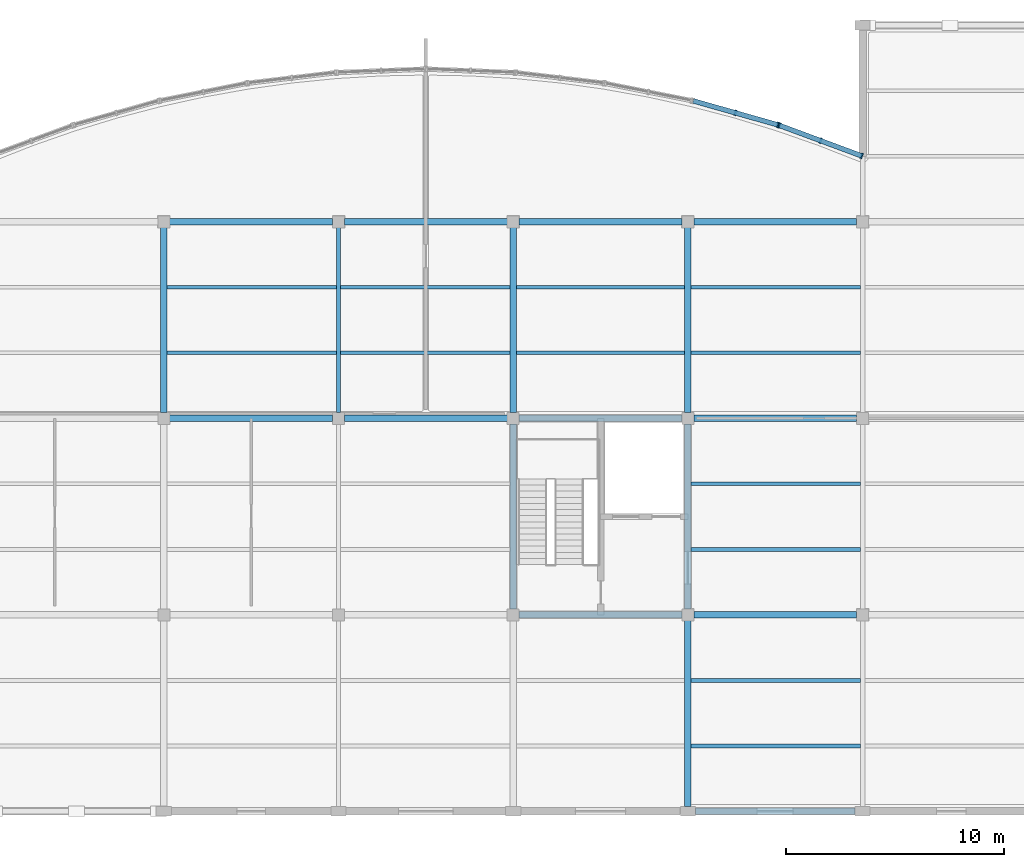
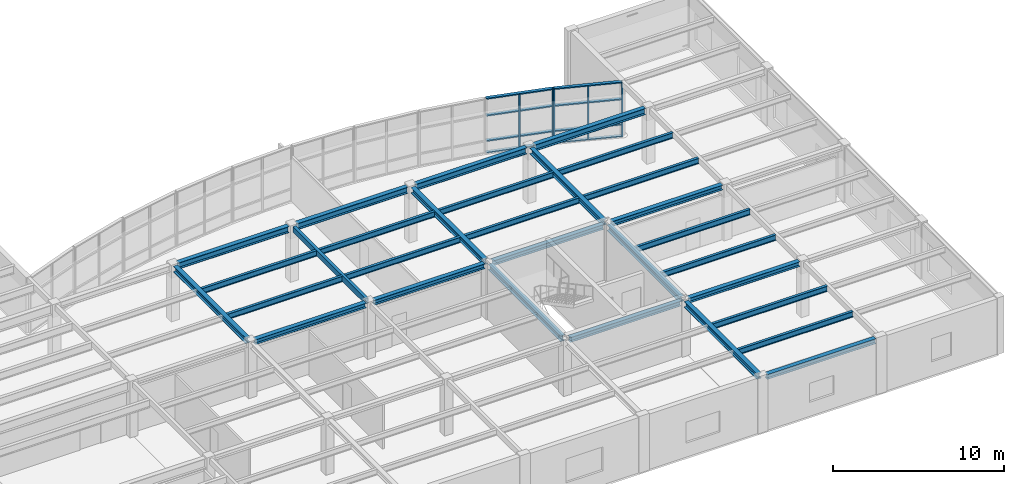
# One storey, part 3 of 12: 30 beams, 13 members, 2 elements without a shape of their own.
"""IFC4 building model written with IfcOpenShell, lengths in metres."""

from ifc_helpers import new_model, si_unit, direction, frame, origin, origin_2d, place, context, subcontext, project, spatial, rectangle, hollow_rectangle, i_section, extrude, material, layer, layer_set, material_profile, profile_set, type_object, element, aggregate, save


model = new_model("IFC4")

# Units and contexts
model_context = context("Model", 3, precision=1e-05, world=origin(), true_north=direction((0.0, 1.0)))
body_context = subcontext(model_context, "Body", "Model", "MODEL_VIEW")
ifc_project = project(units=[si_unit("LENGTHUNIT", "METRE"), si_unit("AREAUNIT", "SQUARE_METRE"), si_unit("VOLUMEUNIT", "CUBIC_METRE"), si_unit("PLANEANGLEUNIT", "RADIAN"), si_unit("MASSUNIT", "GRAM", prefix="KILO")], contexts=[model_context])

# Site, building, storey
site_placement = place(None, origin())
site = spatial("IfcSite", under=ifc_project, at=site_placement, CompositionType="ELEMENT")
building_placement = place(site_placement, origin())
building = spatial("IfcBuilding", under=site, at=building_placement, Name="Keelwater Ferry Terminal", CompositionType="ELEMENT")
storey_placement = place(building_placement, frame((0.0, 0.0, 19.5)))
storey = spatial("IfcBuildingStorey", under=building, at=storey_placement, Name="L04", CompositionType="ELEMENT", Elevation=19.5)

# Curtain wall, members
ifc_material_1 = material(Name="Thermally broken unitised aluminium and triple glass", Category="aluminium")
ifc_layer = layer(ifc_material_1, 0.179931640625)
ifc_layer_set = layer_set([ifc_layer], Name="Thermally broken unitised aluminium and triple glass")
curtain_wall_type = type_object("IfcCurtainWallType", Name="CW-23 Unitised Curtain Wall 4015x3850", PredefinedType="USERDEFINED", material=ifc_layer_set)
curtain_wall_1_placement = place(storey_placement, origin())
curtain_wall_1 = element("IfcCurtainWall", 1, at=curtain_wall_1_placement, inside=storey, type_object=curtain_wall_type, Name="Unitised Curtain Wall CW-L04-213", ObjectType="UNITISED CURTAIN WALL", PredefinedType="USERDEFINED")
ifc_material_2 = material(Name="Aluminium mullion", Category="aluminium")
ifc_material_profile_1 = material_profile(ifc_material_2, rectangle(XDim=0.080078125, YDim=0.25, at=origin_2d()), Name="CWM-04")
ifc_profile_set_1 = profile_set([ifc_material_profile_1], Name="Aluminium mullion")
member_type_1 = type_object("IfcMemberType", Name="CWM-04 Curtain Mullion 80x250", PredefinedType="MULLION", material=ifc_profile_set_1)
member_1_placement = place(storey_placement, frame((171.9580078125, 120.01611328125, 0.0), z_axis=(0.0, 0.0, 1.0), x_axis=(-0.937592418253, 0.347736189136, 0.0)))
member_1 = element("IfcMember", 2, at=member_1_placement, type_object=member_type_1, Name="CW-L04-213 Mullion 1", PredefinedType="MULLION", context=body_context, shape_type="SweptSolid", body=[
    extrude(rectangle(XDim=0.080078125, YDim=0.25, at=origin_2d()), origin(), (0.0, 0.0, 1.0), 3.85009765625),
])
member_2_placement = place(storey_placement, frame((170.075927734375, 120.714111328125, 0.0), z_axis=(0.0, 0.0, 1.0), x_axis=(-0.937592418253, 0.347736189136, 0.0)))
member_2 = element("IfcMember", 3, at=member_2_placement, type_object=member_type_1, Name="CW-L04-213 Mullion 2", PredefinedType="MULLION", context=body_context, shape_type="SweptSolid", body=[
    extrude(rectangle(XDim=0.080078125, YDim=0.25, at=origin_2d()), origin(), (0.0, 0.0, 1.0), 3.85009765625),
])
member_3_placement = place(storey_placement, frame((168.194091796875, 121.412109375, 0.0), z_axis=(0.0, 0.0, 1.0), x_axis=(-0.937592418253, 0.347736189136, 0.0)))
member_3 = element("IfcMember", 4, at=member_3_placement, type_object=member_type_1, Name="CW-L04-213 Mullion 3", PredefinedType="MULLION", context=body_context, shape_type="SweptSolid", body=[
    extrude(rectangle(XDim=0.080078125, YDim=0.25, at=origin_2d()), origin(), (0.0, 0.0, 1.0), 3.85009765625),
])

curtain_wall_2_placement = place(storey_placement, origin())
curtain_wall_2 = element("IfcCurtainWall", 5, at=curtain_wall_2_placement, inside=storey, type_object=curtain_wall_type, Name="Unitised Curtain Wall CW-L04-214", ObjectType="UNITISED CURTAIN WALL", PredefinedType="USERDEFINED")
member_4_placement = place(storey_placement, frame((168.10888671875, 121.43994140625, 0.0), z_axis=(0.0, 0.0, 1.0), x_axis=(-0.962029778706, 0.272944508797, 0.0)))
member_4 = element("IfcMember", 6, at=member_4_placement, type_object=member_type_1, Name="CW-L04-214 Mullion 1", PredefinedType="MULLION", context=body_context, shape_type="SweptSolid", body=[
    extrude(rectangle(XDim=0.080078125, YDim=0.25, at=origin_2d()), origin(), (0.0, 0.0, 1.0), 3.85009765625),
])
member_5_placement = place(storey_placement, frame((166.177490234375, 121.988037109375, 0.0), z_axis=(0.0, 0.0, 1.0), x_axis=(-0.962029778706, 0.272944508797, 0.0)))
member_5 = element("IfcMember", 7, at=member_5_placement, type_object=member_type_1, Name="CW-L04-214 Mullion 2", PredefinedType="MULLION", context=body_context, shape_type="SweptSolid", body=[
    extrude(rectangle(XDim=0.080078125, YDim=0.25, at=origin_2d()), origin(), (0.0, 0.0, 1.0), 3.85009765625),
])

# Member
ifc_material_3 = material(Name="Aluminium mullion", Category="aluminium")
ifc_material_profile_2 = material_profile(ifc_material_3, rectangle(XDim=0.219970703125, YDim=0.080078125, at=origin_2d()), Name="CWT-04")
ifc_profile_set_2 = profile_set([ifc_material_profile_2], Name="Aluminium mullion")
member_type_2 = type_object("IfcMemberType", Name="CWT-04 Curtain Transom 80x220", PredefinedType="USERDEFINED", material=ifc_profile_set_2)
member_6_placement = place(storey_placement, frame((171.9580078125, 120.01611328125, 0.0), z_axis=(-0.937590205769, 0.347742154543, 0.0), x_axis=(-0.347742154543, -0.937590205769, 0.0)))
member_6 = element("IfcMember", 8, at=member_6_placement, type_object=member_type_2, Name="CW-L04-213 Transom 1", ObjectType="TRANSOM", PredefinedType="USERDEFINED", context=body_context, shape_type="SweptSolid", body=[
    extrude(rectangle(XDim=0.219970703125, YDim=0.080078125, at=origin_2d()), origin(), (0.0, 0.0, 1.0), 4.014404296875),
])

member_7_placement = place(storey_placement, frame((171.9580078125, 120.01611328125, 0.85009765625), z_axis=(-0.937590205769, 0.347742154543, 0.0), x_axis=(-0.347742154543, -0.937590205769, 0.0)))
member_7 = element("IfcMember", 9, at=member_7_placement, type_object=member_type_2, Name="CW-L04-213 Transom 2", ObjectType="TRANSOM", PredefinedType="USERDEFINED", context=body_context, shape_type="SweptSolid", body=[
    extrude(rectangle(XDim=0.219970703125, YDim=0.080078125, at=origin_2d()), origin(), (0.0, 0.0, 1.0), 4.014404296875),
])

member_8_placement = place(storey_placement, frame((171.9580078125, 120.01611328125, 2.64990234375), z_axis=(-0.937590205769, 0.347742154543, 0.0), x_axis=(-0.347742154543, -0.937590205769, 0.0)))
member_8 = element("IfcMember", 10, at=member_8_placement, type_object=member_type_2, Name="CW-L04-213 Transom 3", ObjectType="TRANSOM", PredefinedType="USERDEFINED", context=body_context, shape_type="SweptSolid", body=[
    extrude(rectangle(XDim=0.219970703125, YDim=0.080078125, at=origin_2d()), origin(), (0.0, 0.0, 1.0), 4.014404296875),
])

member_9_placement = place(storey_placement, frame((171.9580078125, 120.01611328125, 3.85009765625), z_axis=(-0.937590205769, 0.347742154543, 0.0), x_axis=(-0.347742154543, -0.937590205769, 0.0)))
member_9 = element("IfcMember", 11, at=member_9_placement, type_object=member_type_2, Name="CW-L04-213 Transom 4", ObjectType="TRANSOM", PredefinedType="USERDEFINED", context=body_context, shape_type="SweptSolid", body=[
    extrude(rectangle(XDim=0.219970703125, YDim=0.080078125, at=origin_2d()), origin(), (0.0, 0.0, 1.0), 4.014404296875),
])

aggregate(curtain_wall_1, [member_1, member_2, member_3, member_6, member_7, member_8, member_9])

member_10_placement = place(storey_placement, frame((168.10888671875, 121.43994140625, 0.0), z_axis=(-0.962029386072, 0.272945892686, 0.0), x_axis=(-0.272945892686, -0.962029386072, 0.0)))
member_10 = element("IfcMember", 12, at=member_10_placement, type_object=member_type_2, Name="CW-L04-214 Transom 1", ObjectType="TRANSOM", PredefinedType="USERDEFINED", context=body_context, shape_type="SweptSolid", body=[
    extrude(rectangle(XDim=0.219970703125, YDim=0.080078125, at=origin_2d()), origin(), (0.0, 0.0, 1.0), 4.01513671875),
])

member_11_placement = place(storey_placement, frame((168.10888671875, 121.43994140625, 0.85009765625), z_axis=(-0.962029386072, 0.272945892686, 0.0), x_axis=(-0.272945892686, -0.962029386072, 0.0)))
member_11 = element("IfcMember", 13, at=member_11_placement, type_object=member_type_2, Name="CW-L04-214 Transom 2", ObjectType="TRANSOM", PredefinedType="USERDEFINED", context=body_context, shape_type="SweptSolid", body=[
    extrude(rectangle(XDim=0.219970703125, YDim=0.080078125, at=origin_2d()), origin(), (0.0, 0.0, 1.0), 4.01513671875),
])

member_12_placement = place(storey_placement, frame((168.10888671875, 121.43994140625, 2.64990234375), z_axis=(-0.962029386072, 0.272945892686, 0.0), x_axis=(-0.272945892686, -0.962029386072, 0.0)))
member_12 = element("IfcMember", 14, at=member_12_placement, type_object=member_type_2, Name="CW-L04-214 Transom 3", ObjectType="TRANSOM", PredefinedType="USERDEFINED", context=body_context, shape_type="SweptSolid", body=[
    extrude(rectangle(XDim=0.219970703125, YDim=0.080078125, at=origin_2d()), origin(), (0.0, 0.0, 1.0), 4.01513671875),
])

member_13_placement = place(storey_placement, frame((168.10888671875, 121.43994140625, 3.85009765625), z_axis=(-0.962029386072, 0.272945892686, 0.0), x_axis=(-0.272945892686, -0.962029386072, 0.0)))
member_13 = element("IfcMember", 15, at=member_13_placement, type_object=member_type_2, Name="CW-L04-214 Transom 4", ObjectType="TRANSOM", PredefinedType="USERDEFINED", context=body_context, shape_type="SweptSolid", body=[
    extrude(rectangle(XDim=0.219970703125, YDim=0.080078125, at=origin_2d()), origin(), (0.0, 0.0, 1.0), 4.01513671875),
])

aggregate(curtain_wall_2, [member_4, member_5, member_10, member_11, member_12, member_13])

# Beams
ifc_material_4 = material(Name="Steel S355", Category="steel")
ifc_material_profile_3 = material_profile(ifc_material_4, i_section(OverallWidth=0.300048828125, OverallDepth=0.449951171875, WebThickness=0.013916015625, FlangeThickness=0.02587890625, at=origin_2d()), Name="HEB 450")
ifc_profile_set_3 = profile_set([ifc_material_profile_3], Name="Steel S355")
beam_type_1 = type_object("IfcBeamType", Name="G6 HEB 450", PredefinedType="BEAM", material=ifc_profile_set_3)
for number, where, z_axis, x_axis, name in (
    (16, (140.27001953125, 117.0, 3.715087890625), (1.0, 0.0, 0.0), (0.0, 1.0, 0.0), "Beam BM-L04-1480"),
    (17, (148.27001953125, 117.0, 3.715087890625), (1.0, 0.0, 0.0), (0.0, 1.0, 0.0), "Beam BM-L04-1481"),
    (18, (156.27001953125, 117.0, 3.715087890625), (1.0, 0.0, 0.0), (0.0, 1.0, 0.0), "Beam BM-L04-1482"),
    (19, (164.27001953125, 117.0, 3.715087890625), (1.0, 0.0, 0.0), (0.0, 1.0, 0.0), "Beam BM-L04-1483"),
):
    element("IfcBeam", number, at=place(storey_placement, frame(where, z_axis=z_axis, x_axis=x_axis)), inside=storey, type_object=beam_type_1, Name=name, PredefinedType="BEAM", context=body_context, shape_type="SweptSolid", body=[
        extrude(i_section(OverallWidth=0.300048828125, OverallDepth=0.449951171875, WebThickness=0.013916015625, FlangeThickness=0.02587890625, at=origin_2d()), origin(), (0.0, 0.0, 1.0), 7.4599609375),
    ])
ifc_material_5 = material(Name="Steel S355", Category="steel")
ifc_material_profile_4 = material_profile(ifc_material_5, i_section(OverallWidth=0.300048828125, OverallDepth=0.39990234375, WebThickness=0.013427734375, FlangeThickness=0.02392578125, at=origin_2d()), Name="HEB 400")
ifc_profile_set_4 = profile_set([ifc_material_profile_4], Name="Steel S355")
beam_type_2 = type_object("IfcBeamType", Name="G7 HEB 400", PredefinedType="BEAM", material=ifc_profile_set_4)
for number, where, z_axis, x_axis, name in (
    (20, (140.0, 108.27001953125, 3.739990234375), (0.0, 1.0, 0.0), (-1.0, 0.0, 0.0), "Beam BM-L04-1499"),
    (21, (156.0, 99.27001953125, 3.739990234375), (0.0, 1.0, 0.0), (-1.0, 0.0, 0.0), "Beam BM-L04-1504"),
    (22, (156.0, 108.27001953125, 3.739990234375), (0.0, 1.0, 0.0), (-1.0, 0.0, 0.0), "Beam BM-L04-1505"),
):
    element("IfcBeam", number, at=place(storey_placement, frame(where, z_axis=z_axis, x_axis=x_axis)), inside=storey, type_object=beam_type_2, Name=name, PredefinedType="BEAM", context=body_context, shape_type="SweptSolid", body=[
        extrude(i_section(OverallWidth=0.300048828125, OverallDepth=0.39990234375, WebThickness=0.013427734375, FlangeThickness=0.02392578125, at=origin_2d()), origin(), (0.0, 0.0, 1.0), 8.4599609375),
    ])
beam_1_placement = place(storey_placement, frame((164.0, 90.219970703125, 3.739990234375), z_axis=(0.0, 1.0, 0.0), x_axis=(-1.0, 0.0, 0.0)))
element("IfcBeam", 23, at=beam_1_placement, inside=storey, type_object=beam_type_2, Name="Beam BM-L04-1506", PredefinedType="BEAM", context=body_context, shape_type="SweptSolid", body=[
    extrude(i_section(OverallWidth=0.300048828125, OverallDepth=0.39990234375, WebThickness=0.013427734375, FlangeThickness=0.02392578125, at=origin_2d()), origin(), (0.0, 0.0, 1.0), 8.510009765625),
])
for number, where, z_axis, x_axis, name in (
    (24, (164.0, 99.27001953125, 3.739990234375), (0.0, 1.0, 0.0), (-1.0, 0.0, 0.0), "Beam BM-L04-1507"),
    (25, (164.0, 108.27001953125, 3.739990234375), (0.0, 1.0, 0.0), (-1.0, 0.0, 0.0), "Beam BM-L04-1508"),
):
    element("IfcBeam", number, at=place(storey_placement, frame(where, z_axis=z_axis, x_axis=x_axis)), inside=storey, type_object=beam_type_2, Name=name, PredefinedType="BEAM", context=body_context, shape_type="SweptSolid", body=[
        extrude(i_section(OverallWidth=0.300048828125, OverallDepth=0.39990234375, WebThickness=0.013427734375, FlangeThickness=0.02392578125, at=origin_2d()), origin(), (0.0, 0.0, 1.0), 8.4599609375),
    ])
ifc_material_6 = material(Name="Steel S355", Category="steel")
ifc_material_profile_5 = material_profile(ifc_material_6, i_section(OverallWidth=0.179931640625, OverallDepth=0.39990234375, WebThickness=0.008544921875, FlangeThickness=0.013427734375, at=origin_2d()), Name="IPE 400")
ifc_profile_set_5 = profile_set([ifc_material_profile_5], Name="Steel S355")
beam_type_3 = type_object("IfcBeamType", Name="J5 IPE 400", PredefinedType="JOIST", material=ifc_profile_set_5)
for number, where, z_axis, x_axis, name in (
    (26, (140.14990234375, 111.0, 3.739990234375), (1.0, 0.0, 0.0), (0.0, 1.0, 0.0), "Beam BM-L04-1540"),
    (27, (140.14990234375, 114.0, 3.739990234375), (1.0, 0.0, 0.0), (0.0, 1.0, 0.0), "Beam BM-L04-1541"),
    (28, (148.10009765625, 111.0, 3.739990234375), (1.0, 0.0, 0.0), (0.0, 1.0, 0.0), "Beam BM-L04-1546"),
    (29, (148.10009765625, 114.0, 3.739990234375), (1.0, 0.0, 0.0), (0.0, 1.0, 0.0), "Beam BM-L04-1547"),
):
    element("IfcBeam", number, at=place(storey_placement, frame(where, z_axis=z_axis, x_axis=x_axis)), inside=storey, type_object=beam_type_3, Name=name, PredefinedType="JOIST", context=body_context, shape_type="SweptSolid", body=[
        extrude(i_section(OverallWidth=0.179931640625, OverallDepth=0.39990234375, WebThickness=0.008544921875, FlangeThickness=0.013427734375, at=origin_2d()), origin(), (0.0, 0.0, 1.0), 7.75),
    ])
for number, where, z_axis, x_axis, name in (
    (30, (156.14990234375, 111.0, 3.739990234375), (1.0, 0.0, 0.0), (0.0, 1.0, 0.0), "Beam BM-L04-1550"),
    (31, (156.14990234375, 114.0, 3.739990234375), (1.0, 0.0, 0.0), (0.0, 1.0, 0.0), "Beam BM-L04-1551"),
):
    element("IfcBeam", number, at=place(storey_placement, frame(where, z_axis=z_axis, x_axis=x_axis)), inside=storey, type_object=beam_type_3, Name=name, PredefinedType="JOIST", context=body_context, shape_type="SweptSolid", body=[
        extrude(i_section(OverallWidth=0.179931640625, OverallDepth=0.39990234375, WebThickness=0.008544921875, FlangeThickness=0.013427734375, at=origin_2d()), origin(), (0.0, 0.0, 1.0), 7.7001953125),
    ])
for number, where, z_axis, x_axis, name in (
    (32, (164.14990234375, 93.0, 3.739990234375), (1.0, 0.0, 0.0), (0.0, 1.0, 0.0), "Beam BM-L04-1552"),
    (33, (164.14990234375, 96.0, 3.739990234375), (1.0, 0.0, 0.0), (0.0, 1.0, 0.0), "Beam BM-L04-1553"),
    (34, (164.14990234375, 102.0, 3.739990234375), (1.0, 0.0, 0.0), (0.0, 1.0, 0.0), "Beam BM-L04-1554"),
    (35, (164.14990234375, 105.0, 3.739990234375), (1.0, 0.0, 0.0), (0.0, 1.0, 0.0), "Beam BM-L04-1555"),
    (36, (164.14990234375, 111.0, 3.739990234375), (1.0, 0.0, 0.0), (0.0, 1.0, 0.0), "Beam BM-L04-1556"),
    (37, (164.14990234375, 114.0, 3.739990234375), (1.0, 0.0, 0.0), (0.0, 1.0, 0.0), "Beam BM-L04-1557"),
):
    element("IfcBeam", number, at=place(storey_placement, frame(where, z_axis=z_axis, x_axis=x_axis)), inside=storey, type_object=beam_type_3, Name=name, PredefinedType="JOIST", context=body_context, shape_type="SweptSolid", body=[
        extrude(i_section(OverallWidth=0.179931640625, OverallDepth=0.39990234375, WebThickness=0.008544921875, FlangeThickness=0.013427734375, at=origin_2d()), origin(), (0.0, 0.0, 1.0), 7.75),
    ])
ifc_material_7 = material(Name="Steel S355", Category="steel")
ifc_material_profile_6 = material_profile(ifc_material_7, i_section(OverallWidth=0.300048828125, OverallDepth=0.35009765625, WebThickness=0.010009765625, FlangeThickness=0.017578125, at=origin_2d()), Name="HEA 360")
ifc_profile_set_6 = profile_set([ifc_material_profile_6], Name="Steel S355")
beam_type_4 = type_object("IfcBeamType", Name="SP1E HEA 360", PredefinedType="SPANDREL", material=ifc_profile_set_6)
beam_2_placement = place(storey_placement, frame((164.343017578125, 90.0, 3.764892578125), z_axis=(1.0, 0.0, 0.0), x_axis=(0.0, 1.0, 0.0)))
element("IfcBeam", 38, at=beam_2_placement, inside=storey, type_object=beam_type_4, Name="Beam BM-L04-1460", PredefinedType="SPANDREL", context=body_context, shape_type="SweptSolid", body=[
    extrude(i_section(OverallWidth=0.300048828125, OverallDepth=0.35009765625, WebThickness=0.010009765625, FlangeThickness=0.017578125, at=origin_2d()), origin(), (0.0, 0.0, 1.0), 7.31396484375),
])
for number, where, z_axis, x_axis, name in (
    (39, (156.27001953125, 99.0, 3.764892578125), (1.0, 0.0, 0.0), (0.0, 1.0, 0.0), "Beam BM-L04-1467"),
    (40, (164.27001953125, 99.0, 3.764892578125), (1.0, 0.0, 0.0), (0.0, 1.0, 0.0), "Beam BM-L04-1468"),
    (41, (140.27001953125, 108.0, 3.764892578125), (1.0, 0.0, 0.0), (0.0, 1.0, 0.0), "Beam BM-L04-1473"),
    (42, (148.27001953125, 108.0, 3.764892578125), (1.0, 0.0, 0.0), (0.0, 1.0, 0.0), "Beam BM-L04-1474"),
    (43, (156.27001953125, 108.0, 3.764892578125), (1.0, 0.0, 0.0), (0.0, 1.0, 0.0), "Beam BM-L04-1475"),
    (44, (164.27001953125, 108.0, 3.764892578125), (1.0, 0.0, 0.0), (0.0, 1.0, 0.0), "Beam BM-L04-1476"),
):
    element("IfcBeam", number, at=place(storey_placement, frame(where, z_axis=z_axis, x_axis=x_axis)), inside=storey, type_object=beam_type_4, Name=name, PredefinedType="SPANDREL", context=body_context, shape_type="SweptSolid", body=[
        extrude(i_section(OverallWidth=0.300048828125, OverallDepth=0.35009765625, WebThickness=0.010009765625, FlangeThickness=0.017578125, at=origin_2d()), origin(), (0.0, 0.0, 1.0), 7.4599609375),
    ])
ifc_material_8 = material(Name="Steel S355", Category="steel")
ifc_material_profile_7 = material_profile(ifc_material_8, hollow_rectangle(XDim=0.199951171875, YDim=0.39990234375, WallThickness=0.01611328125, at=origin_2d()), Name="RHS 400x200x16")
ifc_profile_set_7 = profile_set([ifc_material_profile_7], Name="Steel S355")
beam_type_5 = type_object("IfcBeamType", Name="SP3E RHS 400x200x16", PredefinedType="SPANDREL", material=ifc_profile_set_7)
beam_3_placement = place(storey_placement, frame((148.0, 108.27001953125, 3.739990234375), z_axis=(0.0, 1.0, 0.0), x_axis=(-1.0, 0.0, 0.0)))
element("IfcBeam", 45, at=beam_3_placement, inside=storey, type_object=beam_type_5, Name="Beam BM-L04-1502", PredefinedType="SPANDREL", context=body_context, shape_type="SweptSolid", body=[
    extrude(hollow_rectangle(XDim=0.199951171875, YDim=0.39990234375, WallThickness=0.01611328125, at=origin_2d()), origin(), (0.0, 0.0, 1.0), 8.4599609375),
])

save(model, "model.ifc")
